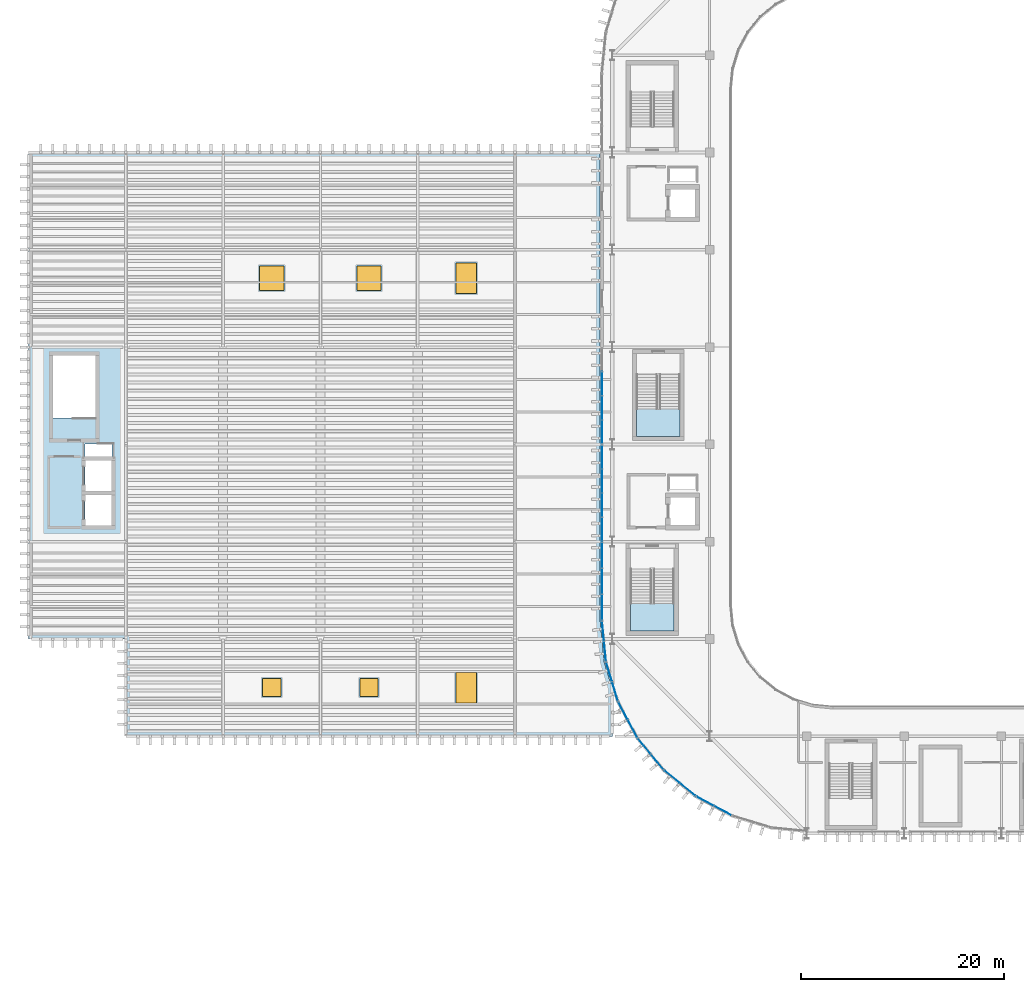
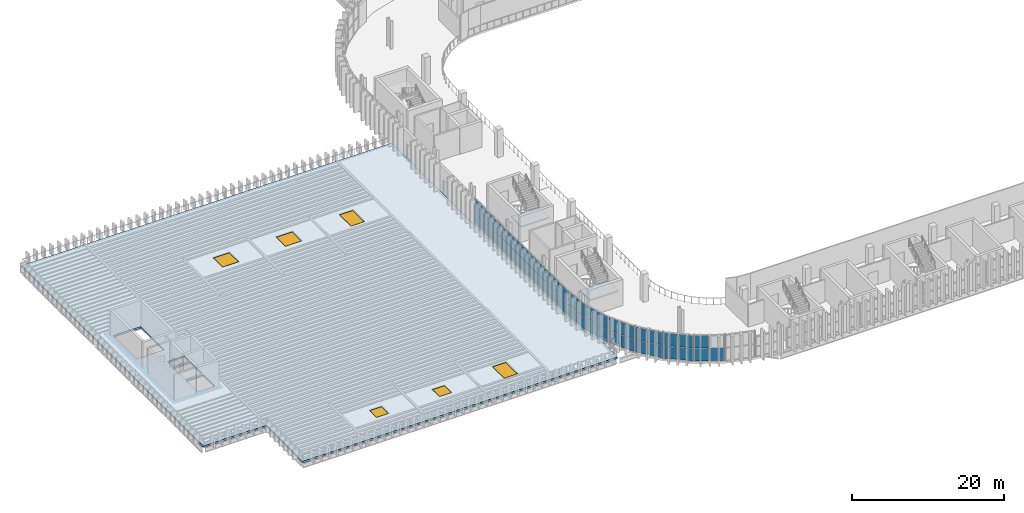
# One storey, part 48 of 92: 43 plates, 6 windows, 3 slabs, 6 openings, 11 elements without a shape of their own.
"""IFC4 building model written with IfcOpenShell, lengths in metres."""

from ifc_helpers import new_model, si_unit, direction, frame, origin, origin_2d, place, context, subcontext, project, spatial, polyline, rectangle, outline, extrude, material, layer, layer_set, type_object, element, fill, aggregate, save


model = new_model("IFC4")

# Units and contexts
model_context = context("Model", 3, precision=1e-05, world=origin(), true_north=direction((0.0, 1.0)))
body_context = subcontext(model_context, "Body", "Model", "MODEL_VIEW")
ifc_project = project(units=[si_unit("LENGTHUNIT", "METRE"), si_unit("AREAUNIT", "SQUARE_METRE"), si_unit("VOLUMEUNIT", "CUBIC_METRE"), si_unit("PLANEANGLEUNIT", "RADIAN"), si_unit("MASSUNIT", "GRAM", prefix="KILO")], contexts=[model_context])

# Site, building, storey
site_placement = place(None, origin())
site = spatial("IfcSite", under=ifc_project, at=site_placement, CompositionType="ELEMENT")
building_placement = place(site_placement, origin())
building = spatial("IfcBuilding", under=site, at=building_placement, Name="Caelomonte Colonnade Arena", CompositionType="ELEMENT")
storey_placement = place(building_placement, frame((0.0, 0.0, 9.60009765625)))
storey = spatial("IfcBuildingStorey", under=building, at=storey_placement, Name="L02", CompositionType="ELEMENT", Elevation=9.60009765625)

# Curtain wall, plates
ifc_material_1 = material(Name="Bronze anodised aluminium and low-E glazing", Category="aluminium")
ifc_layer_1 = layer(ifc_material_1, 0.179931640625)
ifc_layer_set_1 = layer_set([ifc_layer_1], Name="Bronze anodised aluminium and low-E glazing")
curtain_wall_type_1 = type_object("IfcCurtainWallType", Name="ENV-CW-CW-L02-96-42", PredefinedType="USERDEFINED", material=ifc_layer_set_1)
curtain_wall_1_placement = place(storey_placement, origin())
curtain_wall_1 = element("IfcCurtainWall", 1, at=curtain_wall_1_placement, inside=storey, type_object=curtain_wall_type_1, Name="L02 unitized curtain wall CW-L02-0566-0624", ObjectType="UNITIZED CURTAIN WALL", PredefinedType="USERDEFINED")
ifc_material_2 = material(Name="Solar-control bronze low-E double glazing", Category="glass")
ifc_layer_2 = layer(ifc_material_2, 0.028076171875)
ifc_layer_set_2 = layer_set([ifc_layer_2], Name="Solar-control bronze low-E double glazing")
plate_type = type_object("IfcPlateType", Name="ENV-CW-PAN28", PredefinedType="CURTAIN_PANEL", material=ifc_layer_set_2)
plate_1_placement = place(storey_placement, frame((56.580078125, 63.590087890625, 0.070068359375), z_axis=(0.0, 0.0, 1.0), x_axis=(0.0, -1.0, 0.0)))
plate_1 = element("IfcPlate", 2, at=plate_1_placement, type_object=plate_type, Name="CW-L02-96-42 panel 2.1", PredefinedType="CURTAIN_PANEL", context=body_context, shape_type="SweptSolid", body=[
    extrude(rectangle(XDim=2.31005859375, YDim=0.028076171875, at=origin_2d()), origin(), (0.0, 0.0, 1.0), 2.0048828125),
])
plate_2_placement = place(storey_placement, frame((56.580078125, 63.590087890625, 2.14501953125), z_axis=(0.0, 0.0, 1.0), x_axis=(0.0, -1.0, 0.0)))
plate_2 = element("IfcPlate", 3, at=plate_2_placement, type_object=plate_type, Name="CW-L02-96-42 panel 2.2", PredefinedType="CURTAIN_PANEL", context=body_context, shape_type="SweptSolid", body=[
    extrude(rectangle(XDim=2.31005859375, YDim=0.028076171875, at=origin_2d()), origin(), (0.0, 0.0, 1.0), 2.0048828125),
])
plate_3_placement = place(storey_placement, frame((56.580078125, 61.2099609375, 0.070068359375), z_axis=(0.0, 0.0, 1.0), x_axis=(0.0, -1.0, 0.0)))
plate_3 = element("IfcPlate", 4, at=plate_3_placement, type_object=plate_type, Name="CW-L02-96-42 panel 3.1", PredefinedType="CURTAIN_PANEL", context=body_context, shape_type="SweptSolid", body=[
    extrude(rectangle(XDim=2.31005859375, YDim=0.028076171875, at=origin_2d()), origin(), (0.0, 0.0, 1.0), 2.0048828125),
])
plate_4_placement = place(storey_placement, frame((56.580078125, 61.2099609375, 2.14501953125), z_axis=(0.0, 0.0, 1.0), x_axis=(0.0, -1.0, 0.0)))
plate_4 = element("IfcPlate", 5, at=plate_4_placement, type_object=plate_type, Name="CW-L02-96-42 panel 3.2", PredefinedType="CURTAIN_PANEL", context=body_context, shape_type="SweptSolid", body=[
    extrude(rectangle(XDim=2.31005859375, YDim=0.028076171875, at=origin_2d()), origin(), (0.0, 0.0, 1.0), 2.0048828125),
])
plate_5_placement = place(storey_placement, frame((56.580078125, 58.847412109375, 0.070068359375), z_axis=(0.0, 0.0, 1.0), x_axis=(0.0, -1.0, 0.0)))
plate_5 = element("IfcPlate", 6, at=plate_5_placement, type_object=plate_type, Name="CW-L02-96-42 panel 4.1", PredefinedType="CURTAIN_PANEL", context=body_context, shape_type="SweptSolid", body=[
    extrude(rectangle(XDim=2.27490234375, YDim=0.028076171875, at=origin_2d()), origin(), (0.0, 0.0, 1.0), 2.0048828125),
])
plate_6_placement = place(storey_placement, frame((56.580078125, 58.847412109375, 2.14501953125), z_axis=(0.0, 0.0, 1.0), x_axis=(0.0, -1.0, 0.0)))
plate_6 = element("IfcPlate", 7, at=plate_6_placement, type_object=plate_type, Name="CW-L02-96-42 panel 4.2", PredefinedType="CURTAIN_PANEL", context=body_context, shape_type="SweptSolid", body=[
    extrude(rectangle(XDim=2.27490234375, YDim=0.028076171875, at=origin_2d()), origin(), (0.0, 0.0, 1.0), 2.0048828125),
])
aggregate(curtain_wall_1, [plate_1, plate_2, plate_3, plate_4, plate_5, plate_6])

curtain_wall_2_placement = place(storey_placement, origin())
curtain_wall_2 = element("IfcCurtainWall", 8, at=curtain_wall_2_placement, inside=storey, type_object=curtain_wall_type_1, Name="L02 unitized curtain wall CW-L02-0566-0528", ObjectType="UNITIZED CURTAIN WALL", PredefinedType="USERDEFINED")
plate_7_placement = place(storey_placement, frame((56.580078125, 56.3525390625, 0.070068359375), z_axis=(0.0, 0.0, 1.0), x_axis=(0.0, -1.0, 0.0)))
plate_7 = element("IfcPlate", 9, at=plate_7_placement, type_object=plate_type, Name="CW-L02-96-42 panel 1.1", PredefinedType="CURTAIN_PANEL", context=body_context, shape_type="SweptSolid", body=[
    extrude(rectangle(XDim=2.27490234375, YDim=0.028076171875, at=origin_2d()), origin(), (0.0, 0.0, 1.0), 2.0048828125),
])
plate_8_placement = place(storey_placement, frame((56.580078125, 56.3525390625, 2.14501953125), z_axis=(0.0, 0.0, 1.0), x_axis=(0.0, -1.0, 0.0)))
plate_8 = element("IfcPlate", 10, at=plate_8_placement, type_object=plate_type, Name="CW-L02-96-42 panel 1.2", PredefinedType="CURTAIN_PANEL", context=body_context, shape_type="SweptSolid", body=[
    extrude(rectangle(XDim=2.27490234375, YDim=0.028076171875, at=origin_2d()), origin(), (0.0, 0.0, 1.0), 2.0048828125),
])
plate_9_placement = place(storey_placement, frame((56.580078125, 53.989990234375, 0.070068359375), z_axis=(0.0, 0.0, 1.0), x_axis=(0.0, -1.0, 0.0)))
plate_9 = element("IfcPlate", 11, at=plate_9_placement, type_object=plate_type, Name="CW-L02-96-42 panel 2.1", PredefinedType="CURTAIN_PANEL", context=body_context, shape_type="SweptSolid", body=[
    extrude(rectangle(XDim=2.31005859375, YDim=0.028076171875, at=origin_2d()), origin(), (0.0, 0.0, 1.0), 2.0048828125),
])
plate_10_placement = place(storey_placement, frame((56.580078125, 53.989990234375, 2.14501953125), z_axis=(0.0, 0.0, 1.0), x_axis=(0.0, -1.0, 0.0)))
plate_10 = element("IfcPlate", 12, at=plate_10_placement, type_object=plate_type, Name="CW-L02-96-42 panel 2.2", PredefinedType="CURTAIN_PANEL", context=body_context, shape_type="SweptSolid", body=[
    extrude(rectangle(XDim=2.31005859375, YDim=0.028076171875, at=origin_2d()), origin(), (0.0, 0.0, 1.0), 2.0048828125),
])
plate_11_placement = place(storey_placement, frame((56.580078125, 51.610107421875, 0.070068359375), z_axis=(0.0, 0.0, 1.0), x_axis=(0.0, -1.0, 0.0)))
plate_11 = element("IfcPlate", 13, at=plate_11_placement, type_object=plate_type, Name="CW-L02-96-42 panel 3.1", PredefinedType="CURTAIN_PANEL", context=body_context, shape_type="SweptSolid", body=[
    extrude(rectangle(XDim=2.31005859375, YDim=0.028076171875, at=origin_2d()), origin(), (0.0, 0.0, 1.0), 2.0048828125),
])
plate_12_placement = place(storey_placement, frame((56.580078125, 51.610107421875, 2.14501953125), z_axis=(0.0, 0.0, 1.0), x_axis=(0.0, -1.0, 0.0)))
plate_12 = element("IfcPlate", 14, at=plate_12_placement, type_object=plate_type, Name="CW-L02-96-42 panel 3.2", PredefinedType="CURTAIN_PANEL", context=body_context, shape_type="SweptSolid", body=[
    extrude(rectangle(XDim=2.31005859375, YDim=0.028076171875, at=origin_2d()), origin(), (0.0, 0.0, 1.0), 2.0048828125),
])
plate_13_placement = place(storey_placement, frame((56.580078125, 49.24755859375, 0.070068359375), z_axis=(0.0, 0.0, 1.0), x_axis=(0.0, -1.0, 0.0)))
plate_13 = element("IfcPlate", 15, at=plate_13_placement, type_object=plate_type, Name="CW-L02-96-42 panel 4.1", PredefinedType="CURTAIN_PANEL", context=body_context, shape_type="SweptSolid", body=[
    extrude(rectangle(XDim=2.27490234375, YDim=0.028076171875, at=origin_2d()), origin(), (0.0, 0.0, 1.0), 2.0048828125),
])
plate_14_placement = place(storey_placement, frame((56.580078125, 49.24755859375, 2.14501953125), z_axis=(0.0, 0.0, 1.0), x_axis=(0.0, -1.0, 0.0)))
plate_14 = element("IfcPlate", 16, at=plate_14_placement, type_object=plate_type, Name="CW-L02-96-42 panel 4.2", PredefinedType="CURTAIN_PANEL", context=body_context, shape_type="SweptSolid", body=[
    extrude(rectangle(XDim=2.27490234375, YDim=0.028076171875, at=origin_2d()), origin(), (0.0, 0.0, 1.0), 2.0048828125),
])
aggregate(curtain_wall_2, [plate_7, plate_8, plate_9, plate_10, plate_11, plate_12, plate_13, plate_14])

ifc_layer_3 = layer(ifc_material_1, 0.179931640625)
ifc_layer_set_3 = layer_set([ifc_layer_3], Name="Bronze anodised aluminium and low-E glazing")
curtain_wall_type_2 = type_object("IfcCurtainWallType", Name="ENV-CW-CW-L02-79-42", PredefinedType="USERDEFINED", material=ifc_layer_set_3)
curtain_wall_3_placement = place(storey_placement, origin())
curtain_wall_3 = element("IfcCurtainWall", 17, at=curtain_wall_3_placement, inside=storey, type_object=curtain_wall_type_2, Name="L02 unitized curtain wall CW-L02-0566-0440", ObjectType="UNITIZED CURTAIN WALL", PredefinedType="USERDEFINED")
plate_15_placement = place(storey_placement, frame((56.580078125, 46.65576171875, 0.070068359375), z_axis=(0.0, 0.0, 1.0), x_axis=(0.0, -1.0, 0.0)))
plate_15 = element("IfcPlate", 18, at=plate_15_placement, type_object=plate_type, Name="CW-L02-79-42 panel 1.1", PredefinedType="CURTAIN_PANEL", context=body_context, shape_type="SweptSolid", body=[
    extrude(rectangle(XDim=2.46826171875, YDim=0.028076171875, at=origin_2d()), origin(), (0.0, 0.0, 1.0), 2.0048828125),
])
plate_16_placement = place(storey_placement, frame((56.580078125, 46.65576171875, 2.14501953125), z_axis=(0.0, 0.0, 1.0), x_axis=(0.0, -1.0, 0.0)))
plate_16 = element("IfcPlate", 19, at=plate_16_placement, type_object=plate_type, Name="CW-L02-79-42 panel 1.2", PredefinedType="CURTAIN_PANEL", context=body_context, shape_type="SweptSolid", body=[
    extrude(rectangle(XDim=2.46826171875, YDim=0.028076171875, at=origin_2d()), origin(), (0.0, 0.0, 1.0), 2.0048828125),
])
plate_17_placement = place(storey_placement, frame((56.580078125, 44.10009765625, 0.070068359375), z_axis=(0.0, 0.0, 1.0), x_axis=(0.0, -1.0, 0.0)))
plate_17 = element("IfcPlate", 20, at=plate_17_placement, type_object=plate_type, Name="CW-L02-79-42 panel 2.1", PredefinedType="CURTAIN_PANEL", context=body_context, shape_type="SweptSolid", body=[
    extrude(rectangle(XDim=2.50341796875, YDim=0.028076171875, at=origin_2d()), origin(), (0.0, 0.0, 1.0), 2.0048828125),
])
plate_18_placement = place(storey_placement, frame((56.580078125, 44.10009765625, 2.14501953125), z_axis=(0.0, 0.0, 1.0), x_axis=(0.0, -1.0, 0.0)))
plate_18 = element("IfcPlate", 21, at=plate_18_placement, type_object=plate_type, Name="CW-L02-79-42 panel 2.2", PredefinedType="CURTAIN_PANEL", context=body_context, shape_type="SweptSolid", body=[
    extrude(rectangle(XDim=2.50341796875, YDim=0.028076171875, at=origin_2d()), origin(), (0.0, 0.0, 1.0), 2.0048828125),
])
plate_19_placement = place(storey_placement, frame((56.580078125, 41.544189453125, 0.070068359375), z_axis=(0.0, 0.0, 1.0), x_axis=(0.0, -1.0, 0.0)))
plate_19 = element("IfcPlate", 22, at=plate_19_placement, type_object=plate_type, Name="CW-L02-79-42 panel 3.1", PredefinedType="CURTAIN_PANEL", context=body_context, shape_type="SweptSolid", body=[
    extrude(rectangle(XDim=2.46826171875, YDim=0.028076171875, at=origin_2d()), origin(), (0.0, 0.0, 1.0), 2.0048828125),
])
plate_20_placement = place(storey_placement, frame((56.580078125, 41.544189453125, 2.14501953125), z_axis=(0.0, 0.0, 1.0), x_axis=(0.0, -1.0, 0.0)))
plate_20 = element("IfcPlate", 23, at=plate_20_placement, type_object=plate_type, Name="CW-L02-79-42 panel 3.2", PredefinedType="CURTAIN_PANEL", context=body_context, shape_type="SweptSolid", body=[
    extrude(rectangle(XDim=2.46826171875, YDim=0.028076171875, at=origin_2d()), origin(), (0.0, 0.0, 1.0), 2.0048828125),
])
aggregate(curtain_wall_3, [plate_15, plate_16, plate_17, plate_18, plate_19, plate_20])

ifc_layer_4 = layer(ifc_material_1, 0.179931640625)
ifc_layer_set_4 = layer_set([ifc_layer_4], Name="Bronze anodised aluminium and low-E glazing")
curtain_wall_type_3 = type_object("IfcCurtainWallType", Name="ENV-CW-CW-L02-44-42", PredefinedType="USERDEFINED", material=ifc_layer_set_4)
curtain_wall_4_placement = place(storey_placement, origin())
curtain_wall_4 = element("IfcCurtainWall", 24, at=curtain_wall_4_placement, inside=storey, type_object=curtain_wall_type_3, Name="L02 unitized curtain wall CW-L02-0568-0382", ObjectType="UNITIZED CURTAIN WALL", PredefinedType="USERDEFINED")
plate_21_placement = place(storey_placement, frame((56.68359375, 39.156005859375, 0.070068359375), z_axis=(0.0, 0.0, 1.0), x_axis=(0.098002498041, -0.995186168703, 0.0)))
plate_21 = element("IfcPlate", 25, at=plate_21_placement, type_object=plate_type, Name="CW-L02-44-42 panel 1.1", PredefinedType="CURTAIN_PANEL", context=body_context, shape_type="SweptSolid", body=[
    extrude(rectangle(XDim=1.913330078125, YDim=0.028076171875, at=origin_2d()), origin(), (0.0, 0.0, 1.0), 2.0048828125),
])
plate_22_placement = place(storey_placement, frame((56.68359375, 39.156005859375, 2.14501953125), z_axis=(0.0, 0.0, 1.0), x_axis=(0.098002498041, -0.995186168703, 0.0)))
plate_22 = element("IfcPlate", 26, at=plate_22_placement, type_object=plate_type, Name="CW-L02-44-42 panel 1.2", PredefinedType="CURTAIN_PANEL", context=body_context, shape_type="SweptSolid", body=[
    extrude(rectangle(XDim=1.913330078125, YDim=0.028076171875, at=origin_2d()), origin(), (0.0, 0.0, 1.0), 2.0048828125),
])
plate_23_placement = place(storey_placement, frame((56.878173828125, 37.182373046875, 0.070068359375), z_axis=(0.0, 0.0, 1.0), x_axis=(0.098002498041, -0.995186168703, 0.0)))
plate_23 = element("IfcPlate", 27, at=plate_23_placement, type_object=plate_type, Name="CW-L02-44-42 panel 2.1", PredefinedType="CURTAIN_PANEL", context=body_context, shape_type="SweptSolid", body=[
    extrude(rectangle(XDim=1.913330078125, YDim=0.028076171875, at=origin_2d()), origin(), (0.0, 0.0, 1.0), 2.0048828125),
])
plate_24_placement = place(storey_placement, frame((56.878173828125, 37.182373046875, 2.14501953125), z_axis=(0.0, 0.0, 1.0), x_axis=(0.098002498041, -0.995186168703, 0.0)))
plate_24 = element("IfcPlate", 28, at=plate_24_placement, type_object=plate_type, Name="CW-L02-44-42 panel 2.2", PredefinedType="CURTAIN_PANEL", context=body_context, shape_type="SweptSolid", body=[
    extrude(rectangle(XDim=1.913330078125, YDim=0.028076171875, at=origin_2d()), origin(), (0.0, 0.0, 1.0), 2.0048828125),
])
aggregate(curtain_wall_4, [plate_21, plate_22, plate_23, plate_24])

curtain_wall_5_placement = place(storey_placement, origin())
curtain_wall_5 = element("IfcCurtainWall", 29, at=curtain_wall_5_placement, inside=storey, type_object=curtain_wall_type_3, Name="L02 unitized curtain wall CW-L02-0576-0342", ObjectType="UNITIZED CURTAIN WALL", PredefinedType="USERDEFINED")
plate_25_placement = place(storey_placement, frame((57.285400390625, 35.134521484375, 0.070068359375), z_axis=(0.0, 0.0, 1.0), x_axis=(0.290255582655, -0.956949160999, 0.0)))
plate_25 = element("IfcPlate", 30, at=plate_25_placement, type_object=plate_type, Name="CW-L02-44-42 panel 1.1", PredefinedType="CURTAIN_PANEL", context=body_context, shape_type="SweptSolid", body=[
    extrude(rectangle(XDim=1.913330078125, YDim=0.028076171875, at=origin_2d()), origin(), (0.0, 0.0, 1.0), 2.0048828125),
])
plate_26_placement = place(storey_placement, frame((57.285400390625, 35.134521484375, 2.14501953125), z_axis=(0.0, 0.0, 1.0), x_axis=(0.290255582655, -0.956949160999, 0.0)))
plate_26 = element("IfcPlate", 31, at=plate_26_placement, type_object=plate_type, Name="CW-L02-44-42 panel 1.2", PredefinedType="CURTAIN_PANEL", context=body_context, shape_type="SweptSolid", body=[
    extrude(rectangle(XDim=1.913330078125, YDim=0.028076171875, at=origin_2d()), origin(), (0.0, 0.0, 1.0), 2.0048828125),
])
plate_27_placement = place(storey_placement, frame((57.861083984375, 33.236572265625, 0.070068359375), z_axis=(0.0, 0.0, 1.0), x_axis=(0.290255582655, -0.956949160999, 0.0)))
plate_27 = element("IfcPlate", 32, at=plate_27_placement, type_object=plate_type, Name="CW-L02-44-42 panel 2.1", PredefinedType="CURTAIN_PANEL", context=body_context, shape_type="SweptSolid", body=[
    extrude(rectangle(XDim=1.913330078125, YDim=0.028076171875, at=origin_2d()), origin(), (0.0, 0.0, 1.0), 2.0048828125),
])
plate_28_placement = place(storey_placement, frame((57.861083984375, 33.236572265625, 2.14501953125), z_axis=(0.0, 0.0, 1.0), x_axis=(0.290255582655, -0.956949160999, 0.0)))
plate_28 = element("IfcPlate", 33, at=plate_28_placement, type_object=plate_type, Name="CW-L02-44-42 panel 2.2", PredefinedType="CURTAIN_PANEL", context=body_context, shape_type="SweptSolid", body=[
    extrude(rectangle(XDim=1.913330078125, YDim=0.028076171875, at=origin_2d()), origin(), (0.0, 0.0, 1.0), 2.0048828125),
])
aggregate(curtain_wall_5, [plate_25, plate_26, plate_27, plate_28])

curtain_wall_6_placement = place(storey_placement, origin())
curtain_wall_6 = element("IfcCurtainWall", 34, at=curtain_wall_6_placement, inside=storey, type_object=curtain_wall_type_3, Name="L02 unitized curtain wall CW-L02-0591-0304", ObjectType="UNITIZED CURTAIN WALL", PredefinedType="USERDEFINED")
plate_29_placement = place(storey_placement, frame((58.66015625, 31.307861328125, 0.070068359375), z_axis=(0.0, 0.0, 1.0), x_axis=(0.471394212466, -0.881922613642, 0.0)))
plate_29 = element("IfcPlate", 35, at=plate_29_placement, type_object=plate_type, Name="CW-L02-44-42 panel 1.1", PredefinedType="CURTAIN_PANEL", context=body_context, shape_type="SweptSolid", body=[
    extrude(rectangle(XDim=1.913330078125, YDim=0.028076171875, at=origin_2d()), origin(), (0.0, 0.0, 1.0), 2.0048828125),
])
plate_30_placement = place(storey_placement, frame((58.66015625, 31.307861328125, 2.14501953125), z_axis=(0.0, 0.0, 1.0), x_axis=(0.471394212466, -0.881922613642, 0.0)))
plate_30 = element("IfcPlate", 36, at=plate_30_placement, type_object=plate_type, Name="CW-L02-44-42 panel 1.2", PredefinedType="CURTAIN_PANEL", context=body_context, shape_type="SweptSolid", body=[
    extrude(rectangle(XDim=1.913330078125, YDim=0.028076171875, at=origin_2d()), origin(), (0.0, 0.0, 1.0), 2.0048828125),
])
plate_31_placement = place(storey_placement, frame((59.594970703125, 29.55859375, 0.070068359375), z_axis=(0.0, 0.0, 1.0), x_axis=(0.471394212466, -0.881922613642, 0.0)))
plate_31 = element("IfcPlate", 37, at=plate_31_placement, type_object=plate_type, Name="CW-L02-44-42 panel 2.1", PredefinedType="CURTAIN_PANEL", context=body_context, shape_type="SweptSolid", body=[
    extrude(rectangle(XDim=1.913330078125, YDim=0.028076171875, at=origin_2d()), origin(), (0.0, 0.0, 1.0), 2.0048828125),
])
plate_32_placement = place(storey_placement, frame((59.594970703125, 29.55859375, 2.14501953125), z_axis=(0.0, 0.0, 1.0), x_axis=(0.471394212466, -0.881922613642, 0.0)))
plate_32 = element("IfcPlate", 38, at=plate_32_placement, type_object=plate_type, Name="CW-L02-44-42 panel 2.2", PredefinedType="CURTAIN_PANEL", context=body_context, shape_type="SweptSolid", body=[
    extrude(rectangle(XDim=1.913330078125, YDim=0.028076171875, at=origin_2d()), origin(), (0.0, 0.0, 1.0), 2.0048828125),
])
aggregate(curtain_wall_6, [plate_29, plate_30, plate_31, plate_32])

curtain_wall_7_placement = place(storey_placement, origin())
curtain_wall_7 = element("IfcCurtainWall", 39, at=curtain_wall_7_placement, inside=storey, type_object=curtain_wall_type_3, Name="L02 unitized curtain wall CW-L02-0614-0271", ObjectType="UNITIZED CURTAIN WALL", PredefinedType="USERDEFINED")
plate_33_placement = place(storey_placement, frame((60.7548828125, 27.82275390625, 0.070068359375), z_axis=(0.0, 0.0, 1.0), x_axis=(0.634416071163, -0.772991751994, 0.0)))
plate_33 = element("IfcPlate", 40, at=plate_33_placement, type_object=plate_type, Name="CW-L02-44-42 panel 1.1", PredefinedType="CURTAIN_PANEL", context=body_context, shape_type="SweptSolid", body=[
    extrude(rectangle(XDim=1.913330078125, YDim=0.028076171875, at=origin_2d()), origin(), (0.0, 0.0, 1.0), 2.0048828125),
])
plate_34_placement = place(storey_placement, frame((60.7548828125, 27.82275390625, 2.14501953125), z_axis=(0.0, 0.0, 1.0), x_axis=(0.634416071163, -0.772991751994, 0.0)))
plate_34 = element("IfcPlate", 41, at=plate_34_placement, type_object=plate_type, Name="CW-L02-44-42 panel 1.2", PredefinedType="CURTAIN_PANEL", context=body_context, shape_type="SweptSolid", body=[
    extrude(rectangle(XDim=1.913330078125, YDim=0.028076171875, at=origin_2d()), origin(), (0.0, 0.0, 1.0), 2.0048828125),
])
plate_35_placement = place(storey_placement, frame((62.01318359375, 26.28955078125, 0.070068359375), z_axis=(0.0, 0.0, 1.0), x_axis=(0.634416071163, -0.772991751994, 0.0)))
plate_35 = element("IfcPlate", 42, at=plate_35_placement, type_object=plate_type, Name="CW-L02-44-42 panel 2.1", PredefinedType="CURTAIN_PANEL", context=body_context, shape_type="SweptSolid", body=[
    extrude(rectangle(XDim=1.913330078125, YDim=0.028076171875, at=origin_2d()), origin(), (0.0, 0.0, 1.0), 2.0048828125),
])
plate_36_placement = place(storey_placement, frame((62.01318359375, 26.28955078125, 2.14501953125), z_axis=(0.0, 0.0, 1.0), x_axis=(0.634416071163, -0.772991751994, 0.0)))
plate_36 = element("IfcPlate", 43, at=plate_36_placement, type_object=plate_type, Name="CW-L02-44-42 panel 2.2", PredefinedType="CURTAIN_PANEL", context=body_context, shape_type="SweptSolid", body=[
    extrude(rectangle(XDim=1.913330078125, YDim=0.028076171875, at=origin_2d()), origin(), (0.0, 0.0, 1.0), 2.0048828125),
])
aggregate(curtain_wall_7, [plate_33, plate_34, plate_35, plate_36])

curtain_wall_8_placement = place(storey_placement, origin())
curtain_wall_8 = element("IfcCurtainWall", 44, at=curtain_wall_8_placement, inside=storey, type_object=curtain_wall_type_3, Name="L02 unitized curtain wall CW-L02-0643-0242", ObjectType="UNITIZED CURTAIN WALL", PredefinedType="USERDEFINED")
plate_37_placement = place(storey_placement, frame((63.489501953125, 24.813232421875, 0.070068359375), z_axis=(0.0, 0.0, 1.0), x_axis=(0.772991751994, -0.634416071163, 0.0)))
plate_37 = element("IfcPlate", 45, at=plate_37_placement, type_object=plate_type, Name="CW-L02-44-42 panel 1.1", PredefinedType="CURTAIN_PANEL", context=body_context, shape_type="SweptSolid", body=[
    extrude(rectangle(XDim=1.913330078125, YDim=0.028076171875, at=origin_2d()), origin(), (0.0, 0.0, 1.0), 2.0048828125),
])
plate_38_placement = place(storey_placement, frame((63.489501953125, 24.813232421875, 2.14501953125), z_axis=(0.0, 0.0, 1.0), x_axis=(0.772991751994, -0.634416071163, 0.0)))
plate_38 = element("IfcPlate", 46, at=plate_38_placement, type_object=plate_type, Name="CW-L02-44-42 panel 1.2", PredefinedType="CURTAIN_PANEL", context=body_context, shape_type="SweptSolid", body=[
    extrude(rectangle(XDim=1.913330078125, YDim=0.028076171875, at=origin_2d()), origin(), (0.0, 0.0, 1.0), 2.0048828125),
])
plate_39_placement = place(storey_placement, frame((65.022705078125, 23.554931640625, 0.070068359375), z_axis=(0.0, 0.0, 1.0), x_axis=(0.772991751994, -0.634416071163, 0.0)))
plate_39 = element("IfcPlate", 47, at=plate_39_placement, type_object=plate_type, Name="CW-L02-44-42 panel 2.1", PredefinedType="CURTAIN_PANEL", context=body_context, shape_type="SweptSolid", body=[
    extrude(rectangle(XDim=1.913330078125, YDim=0.028076171875, at=origin_2d()), origin(), (0.0, 0.0, 1.0), 2.0048828125),
])
plate_40_placement = place(storey_placement, frame((65.022705078125, 23.554931640625, 2.14501953125), z_axis=(0.0, 0.0, 1.0), x_axis=(0.772991751994, -0.634416071163, 0.0)))
plate_40 = element("IfcPlate", 48, at=plate_40_placement, type_object=plate_type, Name="CW-L02-44-42 panel 2.2", PredefinedType="CURTAIN_PANEL", context=body_context, shape_type="SweptSolid", body=[
    extrude(rectangle(XDim=1.913330078125, YDim=0.028076171875, at=origin_2d()), origin(), (0.0, 0.0, 1.0), 2.0048828125),
])
aggregate(curtain_wall_8, [plate_37, plate_38, plate_39, plate_40])

curtain_wall_9_placement = place(storey_placement, origin())
curtain_wall_9 = element("IfcCurtainWall", 49, at=curtain_wall_9_placement, inside=storey, type_object=curtain_wall_type_3, Name="L02 unitized curtain wall CW-L02-0676-0219", ObjectType="UNITIZED CURTAIN WALL", PredefinedType="USERDEFINED")
plate_41_placement = place(storey_placement, frame((66.758544921875, 22.39501953125, 0.070068359375), z_axis=(0.0, 0.0, 1.0), x_axis=(0.881922613642, -0.471394212466, 0.0)))
plate_41 = element("IfcPlate", 50, at=plate_41_placement, type_object=plate_type, Name="CW-L02-44-42 panel 1.1", PredefinedType="CURTAIN_PANEL", context=body_context, shape_type="SweptSolid", body=[
    extrude(rectangle(XDim=1.913330078125, YDim=0.028076171875, at=origin_2d()), origin(), (0.0, 0.0, 1.0), 2.0048828125),
])
plate_42_placement = place(storey_placement, frame((66.758544921875, 22.39501953125, 2.14501953125), z_axis=(0.0, 0.0, 1.0), x_axis=(0.881922613642, -0.471394212466, 0.0)))
plate_42 = element("IfcPlate", 51, at=plate_42_placement, type_object=plate_type, Name="CW-L02-44-42 panel 1.2", PredefinedType="CURTAIN_PANEL", context=body_context, shape_type="SweptSolid", body=[
    extrude(rectangle(XDim=1.913330078125, YDim=0.028076171875, at=origin_2d()), origin(), (0.0, 0.0, 1.0), 2.0048828125),
])
plate_43_placement = place(storey_placement, frame((68.5078125, 21.4599609375, 0.070068359375), z_axis=(0.0, 0.0, 1.0), x_axis=(0.881922613642, -0.471394212466, 0.0)))
plate_43 = element("IfcPlate", 52, at=plate_43_placement, type_object=plate_type, Name="CW-L02-44-42 panel 2.1", PredefinedType="CURTAIN_PANEL", context=body_context, shape_type="SweptSolid", body=[
    extrude(rectangle(XDim=1.913330078125, YDim=0.028076171875, at=origin_2d()), origin(), (0.0, 0.0, 1.0), 2.0048828125),
])
aggregate(curtain_wall_9, [plate_41, plate_42, plate_43])

# Stair, slab
ifc_material_3 = material(Name="Concrete C40/50", Category="concrete")
stair_type_1 = type_object("IfcStairType", Name="INT-ST-WING45", PredefinedType="HALF_TURN_STAIR", material=ifc_material_3)
stair_1_placement = place(storey_placement, origin())
stair_1 = element("IfcStair", 53, at=stair_1_placement, inside=storey, type_object=stair_type_1, Name="L02 Core C1 exit stair ST-01", PredefinedType="HALF_TURN_STAIR")
ifc_layer_5 = layer(ifc_material_3, 0.199951171875)
ifc_layer_set_5 = layer_set([ifc_layer_5], Name="Concrete C40/50")
slab_type_1 = type_object("IfcSlabType", Name="INT-SL-LAND20", PredefinedType="LANDING", material=ifc_layer_set_5)
slab_1_placement = place(storey_placement, frame((0.0, 0.0, 2.0498046875)))
slab_1 = element("IfcSlab", 54, at=slab_1_placement, type_object=slab_type_1, Name="ST-01 landing 1", PredefinedType="LANDING", context=body_context, shape_type="SweptSolid", body=[
    extrude(outline(polyline([(59.39990234375, 41.8798828125), (59.39990234375, 39.199951171875), (63.699951171875, 39.199951171875), (63.699951171875, 41.8798828125), (59.39990234375, 41.8798828125)])), origin(), (0.0, 0.0, 1.0), 0.2001953125),
])
aggregate(stair_1, [slab_1])

stair_type_2 = type_object("IfcStairType", Name="INT-ST-CORE45", PredefinedType="HALF_TURN_STAIR", material=ifc_material_3)
stair_2_placement = place(storey_placement, origin())
stair_2 = element("IfcStair", 55, at=stair_2_placement, inside=storey, type_object=stair_type_2, Name="L02 Protected exit stair ST-09", PredefinedType="HALF_TURN_STAIR")
slab_2_placement = place(storey_placement, frame((0.0, 0.0, 2.0498046875)))
slab_2 = element("IfcSlab", 56, at=slab_2_placement, type_object=slab_type_1, Name="ST-09 landing 1", PredefinedType="LANDING", context=body_context, shape_type="SweptSolid", body=[
    extrude(outline(polyline([(60.0, 61.080078125), (60.0, 58.39990234375), (64.300048828125, 58.39990234375), (64.300048828125, 61.080078125), (60.0, 61.080078125)])), origin(), (0.0, 0.0, 1.0), 0.2001953125),
])
aggregate(stair_2, [slab_2])

# Slab, openings, windows
ifc_layer_6 = layer(ifc_material_3, 0.280029296875)
ifc_layer_set_6 = layer_set([ifc_layer_6], Name="Concrete C40/50")
slab_type_2 = type_object("IfcSlabType", Name="STR-SL-TERR28", PredefinedType="ROOF", material=ifc_layer_set_6)
slab_3_placement = place(storey_placement, frame((0.0, 0.0, -0.280029296875)))
slab_3 = element("IfcSlab", 57, at=slab_3_placement, inside=storey, type_object=slab_type_2, Name="Planted Roof Lawn Terrace", PredefinedType="ROOF", context=body_context, shape_type="SweptSolid", body=[
    extrude(outline(polyline([(56.39990234375, 86.39990234375), (0.0, 86.39990234375), (0.0, 38.39990234375), (9.60009765625, 38.39990234375), (9.60009765625, 28.800048828125), (57.60009765625, 28.800048828125), (57.60009765625, 33.477294921875), (56.803466796875, 36.10302734375), (56.39990234375, 40.199951171875), (56.39990234375, 86.39990234375)]), holes=[polyline([(5.580078125, 49.580078125), (5.580078125, 52.6201171875), (8.219970703125, 52.6201171875), (8.219970703125, 49.580078125), (5.580078125, 49.580078125)]), polyline([(5.580078125, 52.97998046875), (5.580078125, 56.02001953125), (8.219970703125, 56.02001953125), (8.219970703125, 52.97998046875), (5.580078125, 52.97998046875)]), polyline([(5.580078125, 57.6201171875), (8.219970703125, 57.6201171875), (8.219970703125, 56.3798828125), (5.580078125, 56.3798828125), (5.580078125, 57.6201171875)]), polyline([(2.39990234375, 60.199951171875), (2.39990234375, 66.35009765625), (6.60009765625, 66.35009765625), (6.60009765625, 60.199951171875), (2.39990234375, 60.199951171875)])]), origin(), (0.0, 0.0, 1.0), 0.280029296875),
])
opening_1_placement = place(slab_3_placement, frame((24.0, 74.0, 0.0)))
opening_1 = element("IfcOpeningElement", 58, at=opening_1_placement, cuts=slab_3, Name="Opening SK-01", PredefinedType="OPENING", context=body_context, shape_type="SweptSolid", body=[
    extrude(rectangle(XDim=2.39990234375, YDim=2.39990234375, at=origin_2d()), frame((0.0, 0.0, -0.010009765625)), (0.0, 0.0, 1.0), 0.300048828125),
])
opening_2_placement = place(slab_3_placement, frame((33.60009765625, 74.0, 0.0)))
opening_2 = element("IfcOpeningElement", 59, at=opening_2_placement, cuts=slab_3, Name="Opening SK-01", PredefinedType="OPENING", context=body_context, shape_type="SweptSolid", body=[
    extrude(rectangle(XDim=2.39990234375, YDim=2.39990234375, at=origin_2d()), frame((0.0, 0.0, -0.010009765625)), (0.0, 0.0, 1.0), 0.300048828125),
])
opening_3_placement = place(slab_3_placement, frame((43.199951171875, 74.0, 0.0)))
opening_3 = element("IfcOpeningElement", 60, at=opening_3_placement, cuts=slab_3, Name="Opening SK-02", PredefinedType="OPENING", context=body_context, shape_type="SweptSolid", body=[
    extrude(rectangle(XDim=2.0, YDim=3.0, at=origin_2d()), frame((0.0, 0.0, -0.010009765625)), (0.0, 0.0, 1.0), 0.300048828125),
])
opening_4_placement = place(slab_3_placement, frame((24.0, 33.60009765625, 0.0)))
opening_4 = element("IfcOpeningElement", 61, at=opening_4_placement, cuts=slab_3, Name="Opening SK-03", PredefinedType="OPENING", context=body_context, shape_type="SweptSolid", body=[
    extrude(rectangle(XDim=1.800048828125, YDim=1.800048828125, at=origin_2d()), frame((0.0, 0.0, -0.010009765625)), (0.0, 0.0, 1.0), 0.300048828125),
])
opening_5_placement = place(slab_3_placement, frame((33.60009765625, 33.60009765625, 0.0)))
opening_5 = element("IfcOpeningElement", 62, at=opening_5_placement, cuts=slab_3, Name="Opening SK-03", PredefinedType="OPENING", context=body_context, shape_type="SweptSolid", body=[
    extrude(rectangle(XDim=1.800048828125, YDim=1.800048828125, at=origin_2d()), frame((0.0, 0.0, -0.010009765625)), (0.0, 0.0, 1.0), 0.300048828125),
])
opening_6_placement = place(slab_3_placement, frame((43.199951171875, 33.60009765625, 0.0)))
opening_6 = element("IfcOpeningElement", 63, at=opening_6_placement, cuts=slab_3, Name="Opening SK-02", PredefinedType="OPENING", context=body_context, shape_type="SweptSolid", body=[
    extrude(rectangle(XDim=2.0, YDim=3.0, at=origin_2d()), frame((0.0, 0.0, -0.010009765625)), (0.0, 0.0, 1.0), 0.300048828125),
])
window_type_1 = type_object("IfcWindowType", Name="ENV-SK-01", PartitioningType="SINGLE_PANEL", PredefinedType="SKYLIGHT", material=ifc_material_2)
window_1_placement = place(opening_1_placement, frame((0.0, 0.0, 0.22998046875)))
window_1 = element("IfcWindow", 64, at=window_1_placement, inside=storey, type_object=window_type_1, Name="Practice wing roof skylight SK-01", OverallHeight=2.39990234375, OverallWidth=2.39990234375, PartitioningType="SINGLE_PANEL", PredefinedType="SKYLIGHT", context=body_context, shape_type="SweptSolid", body=[
    extrude(rectangle(XDim=2.39990234375, YDim=2.39990234375, at=origin_2d()), origin(), (0.0, 0.0, 1.0), 0.050048828125),
])
fill(opening_1, window_1)
window_2_placement = place(opening_2_placement, frame((0.0, 0.0, 0.22998046875)))
window_2 = element("IfcWindow", 65, at=window_2_placement, inside=storey, type_object=window_type_1, Name="Practice wing roof skylight SK-02", OverallHeight=2.39990234375, OverallWidth=2.39990234375, PartitioningType="SINGLE_PANEL", PredefinedType="SKYLIGHT", context=body_context, shape_type="SweptSolid", body=[
    extrude(rectangle(XDim=2.39990234375, YDim=2.39990234375, at=origin_2d()), origin(), (0.0, 0.0, 1.0), 0.050048828125),
])
fill(opening_2, window_2)
window_type_2 = type_object("IfcWindowType", Name="ENV-SK-02", PartitioningType="SINGLE_PANEL", PredefinedType="SKYLIGHT", material=ifc_material_2)
window_3_placement = place(opening_3_placement, frame((0.0, 0.0, 0.22998046875)))
window_3 = element("IfcWindow", 66, at=window_3_placement, inside=storey, type_object=window_type_2, Name="Practice wing roof skylight SK-03", OverallHeight=3.0, OverallWidth=2.0, PartitioningType="SINGLE_PANEL", PredefinedType="SKYLIGHT", context=body_context, shape_type="SweptSolid", body=[
    extrude(rectangle(XDim=2.0, YDim=3.0, at=origin_2d()), origin(), (0.0, 0.0, 1.0), 0.050048828125),
])
fill(opening_3, window_3)
window_4_placement = place(opening_6_placement, frame((0.0, 0.0, 0.22998046875)))
window_4 = element("IfcWindow", 67, at=window_4_placement, inside=storey, type_object=window_type_2, Name="Practice wing roof skylight SK-06", OverallHeight=3.0, OverallWidth=2.0, PartitioningType="SINGLE_PANEL", PredefinedType="SKYLIGHT", context=body_context, shape_type="SweptSolid", body=[
    extrude(rectangle(XDim=2.0, YDim=3.0, at=origin_2d()), origin(), (0.0, 0.0, 1.0), 0.050048828125),
])
fill(opening_6, window_4)
window_type_3 = type_object("IfcWindowType", Name="ENV-SK-03", PartitioningType="SINGLE_PANEL", PredefinedType="SKYLIGHT", material=ifc_material_2)
window_5_placement = place(opening_4_placement, frame((0.0, 0.0, 0.22998046875)))
window_5 = element("IfcWindow", 68, at=window_5_placement, inside=storey, type_object=window_type_3, Name="Practice wing roof skylight SK-04", OverallHeight=1.800048828125, OverallWidth=1.800048828125, PartitioningType="SINGLE_PANEL", PredefinedType="SKYLIGHT", context=body_context, shape_type="SweptSolid", body=[
    extrude(rectangle(XDim=1.800048828125, YDim=1.800048828125, at=origin_2d()), origin(), (0.0, 0.0, 1.0), 0.050048828125),
])
fill(opening_4, window_5)
window_6_placement = place(opening_5_placement, frame((0.0, 0.0, 0.22998046875)))
window_6 = element("IfcWindow", 69, at=window_6_placement, inside=storey, type_object=window_type_3, Name="Practice wing roof skylight SK-05", OverallHeight=1.800048828125, OverallWidth=1.800048828125, PartitioningType="SINGLE_PANEL", PredefinedType="SKYLIGHT", context=body_context, shape_type="SweptSolid", body=[
    extrude(rectangle(XDim=1.800048828125, YDim=1.800048828125, at=origin_2d()), origin(), (0.0, 0.0, 1.0), 0.050048828125),
])
fill(opening_5, window_6)

save(model, "model.ifc")
